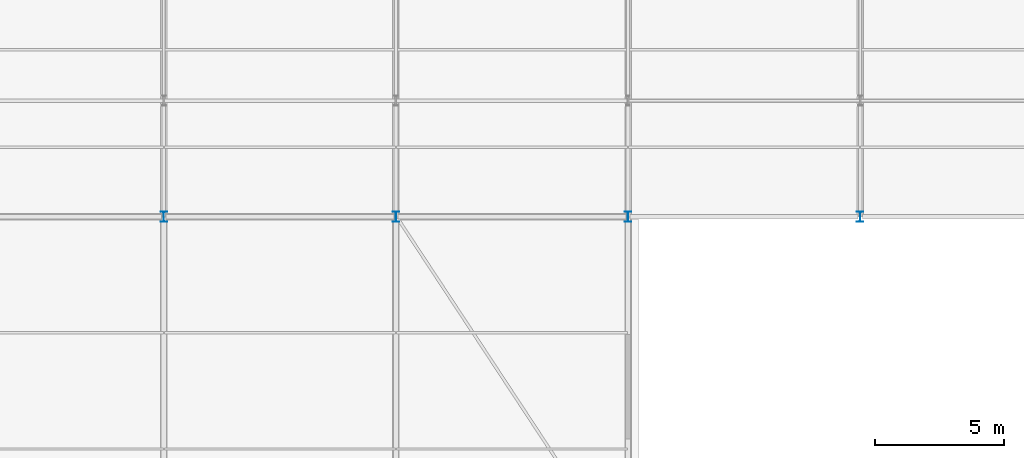
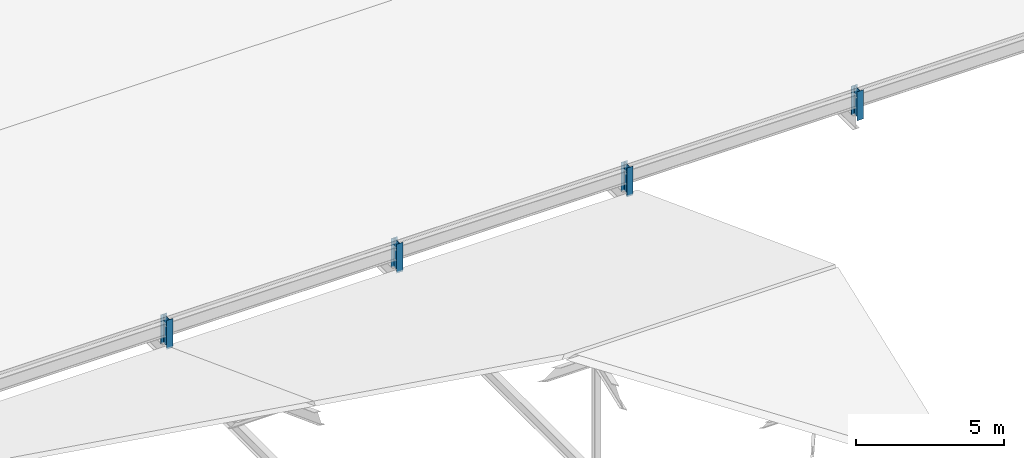
# One storey, part 4 of 163: 4 columns.
"""IFC4 building model written with IfcOpenShell, lengths in metres."""

import ifcopenshell
import ifcopenshell.guid

model = None  # the IFC model being written
_history = None  # IfcOwnerHistory: only IFC2X3 demands one
_inside = {}  # id of a spatial element -> (the spatial element, [elements in it])
_under = {}  # id of a project, library or spatial element -> (it, [spatial elements below it])
_declared = {}  # id of a project -> (the project, [libraries it declares])
_typed = {}  # id of a type object -> (the type object, [elements of that type])
_made_of = {}  # id of a material, layer set ... -> (it, [elements and type objects made of it])


def new_model(schema):
    """Start an empty IFC model of exactly this schema.

    Asked for "IFC4X3", IfcOpenShell would pick the latest addendum, in which some entities
    have other attributes; the version numbers below select the first issue.
    IFC2X3 requires an IfcOwnerHistory on every rooted entity: one is made here for all.
    """
    global model, _history
    if schema == "IFC4X3":
        model = ifcopenshell.file(schema_version=(4, 3, 0, 0))
    else:
        model = ifcopenshell.file(schema=schema)
    _inside.clear()
    _under.clear()
    _declared.clear()
    _typed.clear()
    _made_of.clear()
    _history = None
    if model.schema == "IFC2X3":
        org = make("IfcOrganization", Name="unknown")
        user = make(
            "IfcPersonAndOrganization",
            ThePerson=make("IfcPerson", FamilyName="unknown"),
            TheOrganization=org,
        )
        app = make(
            "IfcApplication",
            ApplicationDeveloper=org,
            Version="unknown",
            ApplicationFullName="unknown",
            ApplicationIdentifier="unknown",
        )
        _history = make(
            "IfcOwnerHistory",
            OwningUser=user,
            OwningApplication=app,
            ChangeAction="ADDED",
            CreationDate=0,
        )
    return model


def make(cls, **values):
    """One entity of the class cls with the attributes given. An attribute that is None is left unset."""
    return model.create_entity(
        cls, **{name: value for name, value in values.items() if value is not None}
    )


def rooted(cls, **values):
    """An entity with a GlobalId (a new one), such as an element, a storey or a relation."""
    return make(cls, GlobalId=ifcopenshell.guid.new(), OwnerHistory=_history, **values)


def si_unit(unit_type, name, prefix=None):
    """IfcSIUnit, for example si_unit("LENGTHUNIT", "METRE", prefix="MILLI")."""
    return make("IfcSIUnit", UnitType=unit_type, Prefix=prefix, Name=name)


def assignment(units):
    """IfcUnitAssignment: the units of a project."""
    return None if units is None else make("IfcUnitAssignment", Units=units)


def point(xyz):
    """IfcCartesianPoint."""
    return None if xyz is None else make("IfcCartesianPoint", Coordinates=xyz)


def direction(xyz):
    """IfcDirection."""
    return None if xyz is None else make("IfcDirection", DirectionRatios=xyz)


def frame(location, z_axis=None, x_axis=None):
    """IfcAxis2Placement3D, a coordinate frame: its origin and axes. An axis left out is left unset."""
    return make(
        "IfcAxis2Placement3D",
        Location=point(location),
        Axis=direction(z_axis),
        RefDirection=direction(x_axis),
    )


def frame_2d(location, x_axis=None):
    """IfcAxis2Placement2D, a coordinate frame in the plane: its origin and x axis."""
    return make(
        "IfcAxis2Placement2D", Location=point(location), RefDirection=direction(x_axis)
    )


def origin():
    """The frame at (0, 0, 0) with its axes left unset."""
    return frame((0.0, 0.0, 0.0))


def origin_2d():
    """The frame at (0, 0) in the plane with its x axis left unset."""
    return frame_2d((0.0, 0.0))


def place(relative_to, where):
    """IfcLocalPlacement: puts the frame where relative to a parent placement (None: the world)."""
    return make(
        "IfcLocalPlacement", PlacementRelTo=relative_to, RelativePlacement=where
    )


def context(
    kind, dimensions, precision=None, world=None, true_north=None, identifier=None
):
    """IfcGeometricRepresentationContext, for example the 3D "Model" context."""
    return make(
        "IfcGeometricRepresentationContext",
        ContextIdentifier=identifier,
        ContextType=kind,
        CoordinateSpaceDimension=dimensions,
        Precision=precision,
        WorldCoordinateSystem=world,
        TrueNorth=true_north,
    )


def subcontext(parent, identifier, kind, view, scale=None):
    """IfcGeometricRepresentationSubContext, for example "Body" below "Model"."""
    return make(
        "IfcGeometricRepresentationSubContext",
        ContextIdentifier=identifier,
        ContextType=kind,
        ParentContext=parent,
        TargetScale=scale,
        TargetView=view,
    )


def project(units=None, contexts=None):
    """IfcProject with its units and contexts."""
    return rooted(
        "IfcProject",
        Name="project",
        RepresentationContexts=contexts,
        UnitsInContext=assignment(units),
    )


def spatial(cls, under=None, at=None, **own):
    """A site, building, storey or space (cls), placed at a placement, below another one or the project."""
    s = rooted(cls, ObjectPlacement=at, **own)
    if under is not None:
        _under.setdefault(under.id(), (under, []))[1].append(s)
    return s


def profile(cls, at=None, kind="AREA", **sizes):
    """A parametric profile (cls). Its sizes go by their IFC names, for example OverallWidth=200.0."""
    return make(cls, ProfileType=kind, Position=at, **sizes)


def i_section(**sizes):
    """IfcIShapeProfileDef."""
    return profile("IfcIShapeProfileDef", **sizes)


def extrude(swept, where, along, depth):
    """IfcExtrudedAreaSolid: the profile swept, set in the frame where, extruded along a direction by depth."""
    return make(
        "IfcExtrudedAreaSolid",
        SweptArea=swept,
        Position=where,
        ExtrudedDirection=direction(along),
        Depth=depth,
    )


def shape(context_of_items, identifier, shape_type, items):
    """IfcShapeRepresentation: the items that make up one representation, for example the "Body"."""
    return make(
        "IfcShapeRepresentation",
        ContextOfItems=context_of_items,
        RepresentationIdentifier=identifier,
        RepresentationType=shape_type,
        Items=items,
    )


def material(Name=None, Category=None):
    """IfcMaterial."""
    return make("IfcMaterial", Name=Name, Category=Category)


def material_profile(
    of_material, cross_section, Name=None, Category=None, Priority=None
):
    """IfcMaterialProfile: a cross section and its material."""
    return make(
        "IfcMaterialProfile",
        Name=Name,
        Material=of_material,
        Profile=cross_section,
        Priority=Priority,
        Category=Category,
    )


def profile_set(profiles, Name=None, composite=None):
    """IfcMaterialProfileSet."""
    return make(
        "IfcMaterialProfileSet",
        Name=Name,
        MaterialProfiles=profiles,
        CompositeProfile=composite,
    )


def made_of(thing, what):
    """Note that an element or type object is made of a material, layer set ...; save() writes the relation."""
    if what is not None:
        _made_of.setdefault(what.id(), (what, []))[1].append(thing)
    return thing


def type_object(cls, material=None, **own):
    """A type object (cls), such as IfcWallType, which elements share."""
    return made_of(rooted(cls, **own), material)


def element(
    cls,
    number,
    at=None,
    inside=None,
    cuts=None,
    type_object=None,
    material=None,
    context=None,
    identifier="Body",
    shape_type=None,
    held_by="IfcProductDefinitionShape",
    body=None,
    shapes=None,
    **own,
):
    """One element of the class cls, such as IfcWall. Its Tag is "e" and its number.

    at: its placement. inside: the storey or other place that contains it. cuts: it is an
    opening in that element (IfcRelVoidsElement). A single representation is given by context,
    identifier, shape_type and body (its items); several are given by shapes. held_by: the class
    of the entity that holds the representations. save() writes the other relations.
    """
    e = rooted(cls, Tag="e%d" % number, ObjectPlacement=at, **own)
    if body is not None:
        shapes = [shape(context, identifier, shape_type, body)]
    if shapes is not None:
        e.Representation = make(held_by, Representations=shapes)
    if inside is not None:
        _inside.setdefault(inside.id(), (inside, []))[1].append(e)
    if cuts is not None:
        rooted(
            "IfcRelVoidsElement", RelatingBuildingElement=cuts, RelatedOpeningElement=e
        )
    if type_object is not None:
        _typed.setdefault(type_object.id(), (type_object, []))[1].append(e)
    return made_of(e, material)


def aggregate(whole, parts):
    """IfcRelAggregates: a whole, such as a stair, and the parts it consists of."""
    return rooted("IfcRelAggregates", RelatingObject=whole, RelatedObjects=parts)


def save(model, path):
    """Write the relations noted so far, then the file.

    IfcRelAggregates (storeys below a building ...), IfcRelContainedInSpatialStructure (elements
    in a storey), IfcRelDefinesByType, IfcRelAssociatesMaterial and IfcRelDeclares: one each for
    every whole, place, type object, material and project.
    """
    for whole, parts in _under.values():
        aggregate(whole, parts)
    for where, things in _inside.values():
        rooted(
            "IfcRelContainedInSpatialStructure",
            RelatedElements=things,
            RelatingStructure=where,
        )
    for kind, things in _typed.values():
        rooted("IfcRelDefinesByType", RelatedObjects=things, RelatingType=kind)
    for what, things in _made_of.values():
        rooted("IfcRelAssociatesMaterial", RelatedObjects=things, RelatingMaterial=what)
    for by, libraries in _declared.values():
        rooted("IfcRelDeclares", RelatingContext=by, RelatedDefinitions=libraries)
    model.write(path)


model = new_model("IFC4")

# Units and contexts
model_context = context("Model", 3, precision=1e-05, world=origin(), true_north=direction((0.0, 1.0)))
body_context = subcontext(model_context, "Body", "Model", "MODEL_VIEW")
ifc_project = project(units=[si_unit("LENGTHUNIT", "METRE"), si_unit("AREAUNIT", "SQUARE_METRE"), si_unit("VOLUMEUNIT", "CUBIC_METRE"), si_unit("PLANEANGLEUNIT", "RADIAN"), si_unit("MASSUNIT", "GRAM", prefix="KILO")], contexts=[model_context])

# Site, building, storey
site_placement = place(None, origin())
site = spatial("IfcSite", under=ifc_project, at=site_placement, CompositionType="ELEMENT")
building_placement = place(site_placement, origin())
building = spatial("IfcBuilding", under=site, at=building_placement, Name="Tharagai Park Tramway Depot", CompositionType="ELEMENT")
storey_placement = place(building_placement, frame((0.0, 0.0, 8.39990234375)))
storey = spatial("IfcBuildingStorey", under=building, at=storey_placement, Name="L02", CompositionType="ELEMENT", Elevation=8.39990234375)

# Columns
ifc_material = material(Name="Steel E350", Category="steel")
ifc_material_profile = material_profile(ifc_material, i_section(OverallWidth=0.25, OverallDepth=0.39990234375, WebThickness=0.010498046875, FlangeThickness=0.0126953125, FilletRadius=0.013916015625, at=origin_2d()), Name="ISHB 400")
ifc_profile_set = profile_set([ifc_material_profile], Name="Steel E350")
column_type = type_object("IfcColumnType", Name="CL-06", PredefinedType="COLUMN", material=ifc_profile_set)
for number, where, z_axis, x_axis, name in (
    (1, (72.0, 90.0, 0.0), (0.0, 0.0, 1.0), (1.0, 0.0, 0.0), "Shed Roof Stanchion CL-06 (72,90)"),
    (2, (81.0, 90.0, 0.0), (0.0, 0.0, 1.0), (1.0, 0.0, 0.0), "Shed Roof Stanchion CL-06 (81,90)"),
    (3, (90.0, 90.0, 0.0), (0.0, 0.0, 1.0), (1.0, 0.0, 0.0), "Shed Roof Stanchion CL-06 (90,90)"),
    (4, (99.0, 90.0, 0.0), (0.0, 0.0, 1.0), (1.0, 0.0, 0.0), "Shed Roof Stanchion CL-06 (99,90)"),
):
    element("IfcColumn", number, at=place(storey_placement, frame(where, z_axis=z_axis, x_axis=x_axis)), inside=storey, type_object=column_type, Name=name, PredefinedType="COLUMN", context=body_context, shape_type="SweptSolid", body=[
        extrude(i_section(OverallWidth=0.25, OverallDepth=0.39990234375, WebThickness=0.010498046875, FlangeThickness=0.0126953125, FilletRadius=0.013916015625, at=origin_2d()), origin(), (0.0, 0.0, 1.0), 1.2001953125),
    ])

save(model, "model.ifc")
